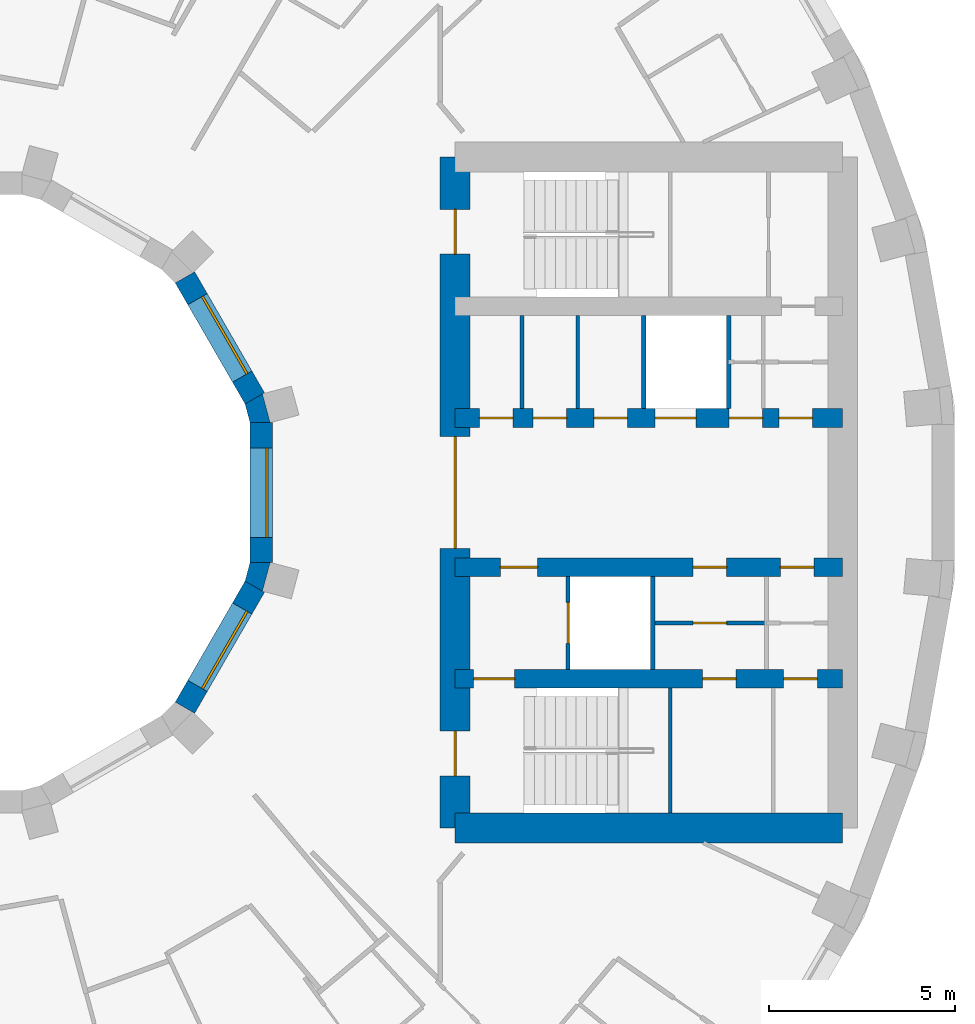
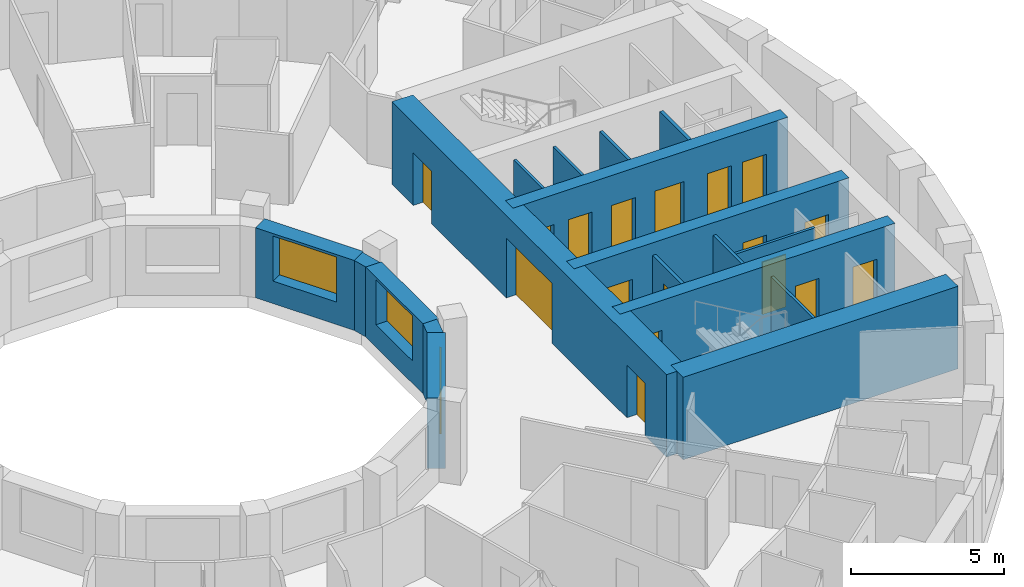
# One storey, part 9 of 16: 18 walls, 17 doors, 3 windows, 20 openings.
"""IFC4 building model written with IfcOpenShell, lengths in metres."""

from ifc_helpers import new_model, si_unit, direction, frame, frame_2d, origin, place, context, subcontext, project, spatial, polyline, rectangle, outline, extrude, material, layer, layer_set, type_object, element, fill, save


model = new_model("IFC4")

# Units and contexts
model_context = context("Model", 3, precision=1e-05, world=origin(), true_north=direction((0.0, 1.0)))
body_context = subcontext(model_context, "Body", "Model", "MODEL_VIEW")
ifc_project = project(units=[si_unit("LENGTHUNIT", "METRE"), si_unit("AREAUNIT", "SQUARE_METRE"), si_unit("VOLUMEUNIT", "CUBIC_METRE"), si_unit("PLANEANGLEUNIT", "RADIAN"), si_unit("MASSUNIT", "GRAM", prefix="KILO")], contexts=[model_context])

# Site, building, storey
site_placement = place(None, origin())
site = spatial("IfcSite", under=ifc_project, at=site_placement, CompositionType="ELEMENT")
building_placement = place(site_placement, origin())
building = spatial("IfcBuilding", under=site, at=building_placement, Name="Saqina Gate Tower", CompositionType="ELEMENT")
storey_placement = place(building_placement, frame((0.0, 0.0, 128.199951171875)))
storey = spatial("IfcBuildingStorey", under=building, at=storey_placement, Name="L36", CompositionType="ELEMENT", Elevation=128.199951171875)

# Walls
ifc_material_1 = material(Name="Gypsum board on steel studs", Category="steel")
ifc_layer_1 = layer(ifc_material_1, 0.10009765625)
ifc_layer_set_1 = layer_set([ifc_layer_1], Name="CORE PARTITION")
wall_type_1 = type_object("IfcWallType", Name="CORE PARTITION", PredefinedType="PARTITIONING", material=ifc_layer_set_1)
for number, where, z_axis, x_axis, name in (
    (1, (15.298095703125, 2.25, 0.0), (0.0, 0.0, 1.0), (0.0, 1.0, 0.0), "L36-CP-E01"),
    (2, (16.789306640625, 2.25, 0.0), (0.0, 0.0, 1.0), (0.0, 1.0, 0.0), "L36-CP-E02"),
):
    element("IfcWall", number, at=place(storey_placement, frame(where, z_axis=z_axis, x_axis=x_axis)), inside=storey, type_object=wall_type_1, Name=name, PredefinedType="PARTITIONING", context=body_context, shape_type="SweptSolid", body=[
        extrude(rectangle(XDim=2.5, YDim=0.10009765625, at=frame_2d((1.25, 0.0))), origin(), (0.0, 0.0, 1.0), 2.800048828125),
    ])

# Wall, opening, door
wall_1_placement = place(storey_placement, frame((18.81005859375, -3.5, 0.0), z_axis=(0.0, 0.0, 1.0), x_axis=(1.0, 0.0, 0.0)))
wall_1 = element("IfcWall", 3, at=wall_1_placement, inside=storey, type_object=wall_type_1, Name="L36-CP-E11", PredefinedType="PARTITIONING", context=body_context, shape_type="SweptSolid", body=[
    extrude(rectangle(XDim=3.04833984375, YDim=0.10009765625, at=frame_2d((1.524169921875, 0.0))), origin(), (0.0, 0.0, 1.0), 2.800048828125),
])
opening_1_placement = place(wall_1_placement, frame((1.07421875, 0.0, 0.0)))
opening_1 = element("IfcOpeningElement", 4, at=opening_1_placement, cuts=wall_1, Name="Opening G10-D103", PredefinedType="OPENING", context=body_context, shape_type="SweptSolid", body=[
    extrude(rectangle(XDim=0.89990234375, YDim=2.10009765625, at=frame_2d((0.449951171875, 1.050048828125))), frame((0.0, 0.06201171875, 0.0), z_axis=(0.0, -1.0, 0.0), x_axis=(1.0, 0.0, 0.0)), (0.0, 0.0, 1.0), 0.1240234375),
])
ifc_material_2 = material(Name="Steel-framed fire door leaf, EI 60", Category="steel")
door_type_1 = type_object("IfcDoorType", Name="SERVICE ROOM DOOR 900", OperationType="SINGLE_SWING_LEFT", PredefinedType="DOOR", material=ifc_material_2)
door_1_placement = place(opening_1_placement, frame((0.89990234375, 0.0, 0.0), z_axis=(0.0, 0.0, 1.0), x_axis=(-1.0, 0.0, 0.0)))
door_1 = element("IfcDoor", 5, at=door_1_placement, inside=storey, type_object=door_type_1, Name="L36-CD-E14", OperationType="SINGLE_SWING_RIGHT", OverallHeight=2.10009765625, OverallWidth=0.89990234375, PredefinedType="DOOR", context=body_context, shape_type="SweptSolid", body=[
    extrude(rectangle(XDim=0.89990234375, YDim=2.10009765625, at=frame_2d((0.449951171875, 1.050048828125))), frame((0.0, 0.02490234375, 0.0), z_axis=(0.0, -1.0, 0.0), x_axis=(1.0, 0.0, 0.0)), (0.0, 0.0, 1.0), 0.050048828125),
])
fill(opening_1, door_1)

# Wall, opening, window
ifc_material_3 = material(Name="Glazed ceramic tile", Category="ceramic")
ifc_layer_2 = layer(ifc_material_3, 0.60009765625)
ifc_layer_set_2 = layer_set([ifc_layer_2], Name="IW-TILE")
wall_type_2 = type_object("IfcWallType", Name="IW-TILE", PredefinedType="SOLIDWALL", material=ifc_layer_set_2)
wall_2_placement = place(storey_placement, frame((8.124755859375, 2.52734375, 0.0), z_axis=(0.0, 0.0, 1.0), x_axis=(-0.499964958637, 0.86604563398, 0.0)))
wall_2 = element("IfcWall", 6, at=wall_2_placement, inside=storey, type_object=wall_type_2, Name="Well wall L36 facet 1", PredefinedType="SOLIDWALL", context=body_context, shape_type="SweptSolid", body=[
    extrude(rectangle(XDim=3.747314453125, YDim=0.60009765625, at=frame_2d((1.87353515625, 0.0))), origin(), (0.0, 0.0, 1.0), 2.800048828125),
])
opening_2_placement = place(wall_2_placement, frame((0.673583984375, 0.0, 0.89990234375)))
opening_2 = element("IfcOpeningElement", 7, at=opening_2_placement, cuts=wall_2, Name="Opening G10-W23", PredefinedType="OPENING", context=body_context, shape_type="SweptSolid", body=[
    extrude(rectangle(XDim=2.39990234375, YDim=1.800048828125, at=frame_2d((1.199951171875, 0.89990234375))), frame((0.0, 0.31201171875, 0.0), z_axis=(0.0, -1.0, 0.0), x_axis=(1.0, 0.0, 0.0)), (0.0, 0.0, 1.0), 0.6240234375),
])
ifc_material_4 = material(Name="Aluminium glazing", Category="aluminium")
window_type = type_object("IfcWindowType", Name="WN-W", PartitioningType="SINGLE_PANEL", PredefinedType="WINDOW", material=ifc_material_4)
window_1_placement = place(opening_2_placement, origin())
window_1 = element("IfcWindow", 8, at=window_1_placement, inside=storey, type_object=window_type, Name="Well window L36 facet 1", OverallHeight=1.800048828125, OverallWidth=2.39990234375, PartitioningType="SINGLE_PANEL", PredefinedType="WINDOW", context=body_context, shape_type="SweptSolid", body=[
    extrude(rectangle(XDim=2.39990234375, YDim=1.800048828125, at=frame_2d((1.199951171875, 0.89990234375))), frame((0.0, -0.119873046875, 0.0), z_axis=(0.0, -1.0, 0.0), x_axis=(1.0, 0.0, 0.0)), (0.0, 0.0, 1.0), 0.06005859375),
])
fill(opening_2, window_1)

wall_3_placement = place(storey_placement, frame((6.251220703125, -5.772705078125, 0.0), z_axis=(0.0, 0.0, 1.0), x_axis=(0.499964958637, 0.86604563398, 0.0)))
wall_3 = element("IfcWall", 9, at=wall_3_placement, inside=storey, type_object=wall_type_2, Name="Well wall L36 facet 11", PredefinedType="SOLIDWALL", context=body_context, shape_type="SweptSolid", body=[
    extrude(rectangle(XDim=3.747314453125, YDim=0.60009765625, at=frame_2d((1.87353515625, 0.0))), origin(), (0.0, 0.0, 1.0), 2.800048828125),
])
opening_3_placement = place(wall_3_placement, frame((0.673583984375, 0.0, 0.89990234375)))
opening_3 = element("IfcOpeningElement", 10, at=opening_3_placement, cuts=wall_3, Name="Opening G10-W33", PredefinedType="OPENING", context=body_context, shape_type="SweptSolid", body=[
    extrude(rectangle(XDim=2.39990234375, YDim=1.800048828125, at=frame_2d((1.199951171875, 0.89990234375))), frame((0.0, 0.31201171875, 0.0), z_axis=(0.0, -1.0, 0.0), x_axis=(1.0, 0.0, 0.0)), (0.0, 0.0, 1.0), 0.6240234375),
])
window_2_placement = place(opening_3_placement, origin())
window_2 = element("IfcWindow", 11, at=window_2_placement, inside=storey, type_object=window_type, Name="Well window L36 facet 11", OverallHeight=1.800048828125, OverallWidth=2.39990234375, PartitioningType="SINGLE_PANEL", PredefinedType="WINDOW", context=body_context, shape_type="SweptSolid", body=[
    extrude(rectangle(XDim=2.39990234375, YDim=1.800048828125, at=frame_2d((1.199951171875, 0.89990234375))), frame((0.0, -0.119873046875, 0.0), z_axis=(0.0, -1.0, 0.0), x_axis=(1.0, 0.0, 0.0)), (0.0, 0.0, 1.0), 0.06005859375),
])
fill(opening_3, window_2)

wall_4_placement = place(storey_placement, frame((8.300048828125, -1.873779296875, 0.0), z_axis=(0.0, 0.0, 1.0), x_axis=(0.0, 1.0, 0.0)))
wall_4 = element("IfcWall", 12, at=wall_4_placement, inside=storey, type_object=wall_type_2, Name="Well wall L36 facet 12", PredefinedType="SOLIDWALL", context=body_context, shape_type="SweptSolid", body=[
    extrude(rectangle(XDim=3.74755859375, YDim=0.60009765625, at=frame_2d((1.873779296875, 0.0))), origin(), (0.0, 0.0, 1.0), 2.800048828125),
])
opening_4_placement = place(wall_4_placement, frame((0.673583984375, 0.0, 0.89990234375)))
opening_4 = element("IfcOpeningElement", 13, at=opening_4_placement, cuts=wall_4, Name="Opening G10-W34", PredefinedType="OPENING", context=body_context, shape_type="SweptSolid", body=[
    extrude(rectangle(XDim=2.39990234375, YDim=1.800048828125, at=frame_2d((1.199951171875, 0.89990234375))), frame((0.0, 0.31201171875, 0.0), z_axis=(0.0, -1.0, 0.0), x_axis=(1.0, 0.0, 0.0)), (0.0, 0.0, 1.0), 0.6240234375),
])
window_3_placement = place(opening_4_placement, origin())
window_3 = element("IfcWindow", 14, at=window_3_placement, inside=storey, type_object=window_type, Name="Well window L36 facet 12", OverallHeight=1.800048828125, OverallWidth=2.39990234375, PartitioningType="SINGLE_PANEL", PredefinedType="WINDOW", context=body_context, shape_type="SweptSolid", body=[
    extrude(rectangle(XDim=2.39990234375, YDim=1.800048828125, at=frame_2d((1.199951171875, 0.89990234375))), frame((0.0, -0.119873046875, 0.0), z_axis=(0.0, -1.0, 0.0), x_axis=(1.0, 0.0, 0.0)), (0.0, 0.0, 1.0), 0.06005859375),
])
fill(opening_4, window_3)

# Walls
ifc_material_5 = material(Name="Autoclaved aerated concrete block", Category="concrete")
ifc_layer_3 = layer(ifc_material_5, 0.1201171875)
ifc_layer_set_3 = layer_set([ifc_layer_3], Name="SHAFT PARTITION")
wall_type_3 = type_object("IfcWallType", Name="SHAFT PARTITION", PredefinedType="PARTITIONING", material=ifc_layer_set_3)
for number, where, z_axis, x_axis, name in (
    (15, (18.56005859375, 2.25, 0.0), (0.0, 0.0, 1.0), (0.0, 1.0, 0.0), "L36-CP-E03"),
    (16, (20.840087890625, 2.25, 0.0), (0.0, 0.0, 1.0), (0.0, 1.0, 0.0), "L36-CP-E04"),
):
    element("IfcWall", number, at=place(storey_placement, frame(where, z_axis=z_axis, x_axis=x_axis)), inside=storey, type_object=wall_type_3, Name=name, PredefinedType="PARTITIONING", context=body_context, shape_type="SweptSolid", body=[
        extrude(rectangle(XDim=2.5, YDim=0.1201171875, at=frame_2d((1.25, 0.0))), origin(), (0.0, 0.0, 1.0), 2.800048828125),
    ])

# Wall, opening, door
wall_5_placement = place(storey_placement, frame((16.530029296875, -4.75, 0.0), z_axis=(0.0, 0.0, 1.0), x_axis=(0.0, 1.0, 0.0)))
wall_5 = element("IfcWall", 17, at=wall_5_placement, inside=storey, type_object=wall_type_3, Name="L36-CP-E06", PredefinedType="PARTITIONING", context=body_context, shape_type="SweptSolid", body=[
    extrude(rectangle(XDim=2.5, YDim=0.1201171875, at=frame_2d((1.25, 0.0))), origin(), (0.0, 0.0, 1.0), 2.800048828125),
])
opening_5_placement = place(wall_5_placement, frame((0.699951171875, 0.0, 0.0)))
opening_5 = element("IfcOpeningElement", 18, at=opening_5_placement, cuts=wall_5, Name="Opening G10-LD2", PredefinedType="OPENING", context=body_context, shape_type="SweptSolid", body=[
    extrude(rectangle(XDim=1.10009765625, YDim=2.10009765625, at=frame_2d((0.550048828125, 1.050048828125))), frame((0.0, 0.072021484375, 0.0), z_axis=(0.0, -1.0, 0.0), x_axis=(1.0, 0.0, 0.0)), (0.0, 0.0, 1.0), 0.14404296875),
])
ifc_material_6 = material(Name="Stainless steel", Category="steel")
door_type_2 = type_object("IfcDoorType", Name="LANDING DOOR", OperationType="DOUBLE_DOOR_SLIDING", PredefinedType="DOOR", material=ifc_material_6)
door_2_placement = place(opening_5_placement, origin())
door_2 = element("IfcDoor", 19, at=door_2_placement, inside=storey, type_object=door_type_2, Name="LANDING DOOR FF1", OperationType="DOUBLE_DOOR_SLIDING", OverallHeight=2.10009765625, OverallWidth=1.10009765625, PredefinedType="DOOR", context=body_context, shape_type="SweptSolid", body=[
    extrude(rectangle(XDim=1.10009765625, YDim=2.10009765625, at=frame_2d((0.550048828125, 1.050048828125))), frame((0.0, 0.02490234375, 0.0), z_axis=(0.0, -1.0, 0.0), x_axis=(1.0, 0.0, 0.0)), (0.0, 0.0, 1.0), 0.050048828125),
])
fill(opening_5, door_2)

# Walls
wall_6_placement = place(storey_placement, frame((18.81005859375, -4.75, 0.0), z_axis=(0.0, 0.0, 1.0), x_axis=(0.0, 1.0, 0.0)))
element("IfcWall", 20, at=wall_6_placement, inside=storey, type_object=wall_type_3, Name="L36-CP-E07", PredefinedType="PARTITIONING", context=body_context, shape_type="SweptSolid", body=[
    extrude(rectangle(XDim=2.5, YDim=0.1201171875, at=frame_2d((1.25, 0.0))), origin(), (0.0, 0.0, 1.0), 2.800048828125),
])
ifc_material_7 = material(Name="Autoclaved aerated concrete block", Category="concrete")
ifc_layer_4 = layer(ifc_material_7, 0.10009765625)
ifc_layer_set_4 = layer_set([ifc_layer_4], Name="STAIR ENCLOSURE WALL")
wall_type_4 = type_object("IfcWallType", Name="STAIR ENCLOSURE WALL", PredefinedType="PARTITIONING", material=ifc_layer_set_4)
wall_7_placement = place(storey_placement, frame((19.27001953125, -8.60009765625, 0.0), z_axis=(0.0, 0.0, 1.0), x_axis=(0.0, 1.0, 0.0)))
element("IfcWall", 21, at=wall_7_placement, inside=storey, type_object=wall_type_4, Name="L36-CP-E15", PredefinedType="PARTITIONING", context=body_context, shape_type="SweptSolid", body=[
    extrude(rectangle(XDim=3.35009765625, YDim=0.10009765625, at=frame_2d((1.675048828125, 0.0))), origin(), (0.0, 0.0, 1.0), 2.800048828125),
])

# Wall, openings, doors
ifc_material_8 = material(Name="Concrete C70/85", Category="concrete")
ifc_layer_5 = layer(ifc_material_8, 0.5)
ifc_layer_set_5 = layer_set([ifc_layer_5], Name="Concrete C70/85")
wall_type_5 = type_object("IfcWallType", Name="STR-CORE WALL-B-I", PredefinedType="SHEAR", material=ifc_layer_set_5)
wall_8_placement = place(storey_placement, frame((13.5, -5.0, 0.0), z_axis=(0.0, 0.0, 1.0), x_axis=(1.0, 0.0, 0.0)))
wall_8 = element("IfcWall", 22, at=wall_8_placement, inside=storey, type_object=wall_type_5, Name="CORE WALL L36 E-X2", PredefinedType="SHEAR", context=body_context, shape_type="SweptSolid", body=[
    extrude(rectangle(XDim=10.39990234375, YDim=0.5, at=frame_2d((5.199951171875, 0.0))), origin(), (0.0, 0.0, 1.0), 3.300048828125),
])
opening_6_placement = place(wall_8_placement, frame((6.63916015625, 0.0, 0.0)))
opening_6 = element("IfcOpeningElement", 23, at=opening_6_placement, cuts=wall_8, Name="Opening G10-D104", PredefinedType="OPENING", context=body_context, shape_type="SweptSolid", body=[
    extrude(rectangle(XDim=0.89990234375, YDim=2.10009765625, at=frame_2d((0.449951171875, 1.050048828125))), frame((0.0, 0.261962890625, 0.0), z_axis=(0.0, -1.0, 0.0), x_axis=(1.0, 0.0, 0.0)), (0.0, 0.0, 1.0), 0.52392578125),
])
opening_7_placement = place(wall_8_placement, frame((8.818603515625, 0.0, 0.0)))
opening_7 = element("IfcOpeningElement", 24, at=opening_7_placement, cuts=wall_8, Name="Opening G10-D105", PredefinedType="OPENING", context=body_context, shape_type="SweptSolid", body=[
    extrude(rectangle(XDim=0.89990234375, YDim=2.10009765625, at=frame_2d((0.449951171875, 1.050048828125))), frame((0.0, 0.261962890625, 0.0), z_axis=(0.0, -1.0, 0.0), x_axis=(1.0, 0.0, 0.0)), (0.0, 0.0, 1.0), 0.52392578125),
])
opening_8_placement = place(wall_8_placement, frame((0.5, 0.0, 0.0)))
opening_8 = element("IfcOpeningElement", 25, at=opening_8_placement, cuts=wall_8, Name="Opening G10-D106", PredefinedType="OPENING", context=body_context, shape_type="SweptSolid", body=[
    extrude(rectangle(XDim=1.10009765625, YDim=2.10009765625, at=frame_2d((0.550048828125, 1.050048828125))), frame((0.0, 0.261962890625, 0.0), z_axis=(0.0, -1.0, 0.0), x_axis=(1.0, 0.0, 0.0)), (0.0, 0.0, 1.0), 0.52392578125),
])
ifc_material_9 = material(Name="Steel", Category="steel")
door_type_3 = type_object("IfcDoorType", Name="FIRE LOBBY DOOR EI 60 WIDE", OperationType="SINGLE_SWING_LEFT", PredefinedType="DOOR", material=ifc_material_9)
door_3_placement = place(opening_8_placement, frame((1.10009765625, 0.0, 0.0), z_axis=(0.0, 0.0, 1.0), x_axis=(-1.0, 0.0, 0.0)))
door_3 = element("IfcDoor", 26, at=door_3_placement, inside=storey, type_object=door_type_3, Name="L36-CD-E17", OperationType="SINGLE_SWING_RIGHT", OverallHeight=2.10009765625, OverallWidth=1.10009765625, PredefinedType="DOOR", context=body_context, shape_type="SweptSolid", body=[
    extrude(rectangle(XDim=1.10009765625, YDim=2.10009765625, at=frame_2d((0.550048828125, 1.050048828125))), frame((0.0, 0.02490234375, 0.0), z_axis=(0.0, -1.0, 0.0), x_axis=(1.0, 0.0, 0.0)), (0.0, 0.0, 1.0), 0.050048828125),
])
fill(opening_8, door_3)
door_4_placement = place(opening_6_placement, frame((0.89990234375, 0.0, 0.0), z_axis=(0.0, 0.0, 1.0), x_axis=(-1.0, 0.0, 0.0)))
door_4 = element("IfcDoor", 27, at=door_4_placement, inside=storey, type_object=door_type_1, Name="L36-CD-E15", OperationType="SINGLE_SWING_LEFT", OverallHeight=2.10009765625, OverallWidth=0.89990234375, PredefinedType="DOOR", context=body_context, shape_type="SweptSolid", body=[
    extrude(rectangle(XDim=0.89990234375, YDim=2.10009765625, at=frame_2d((0.449951171875, 1.050048828125))), frame((0.0, 0.02490234375, 0.0), z_axis=(0.0, -1.0, 0.0), x_axis=(1.0, 0.0, 0.0)), (0.0, 0.0, 1.0), 0.050048828125),
])
fill(opening_6, door_4)
door_5_placement = place(opening_7_placement, frame((0.89990234375, 0.0, 0.0), z_axis=(0.0, 0.0, 1.0), x_axis=(-1.0, 0.0, 0.0)))
door_5 = element("IfcDoor", 28, at=door_5_placement, inside=storey, type_object=door_type_1, Name="L36-CD-E16", OperationType="SINGLE_SWING_LEFT", OverallHeight=2.10009765625, OverallWidth=0.89990234375, PredefinedType="DOOR", context=body_context, shape_type="SweptSolid", body=[
    extrude(rectangle(XDim=0.89990234375, YDim=2.10009765625, at=frame_2d((0.449951171875, 1.050048828125))), frame((0.0, 0.02490234375, 0.0), z_axis=(0.0, -1.0, 0.0), x_axis=(1.0, 0.0, 0.0)), (0.0, 0.0, 1.0), 0.050048828125),
])
fill(opening_7, door_5)

wall_9_placement = place(storey_placement, frame((13.5, 2.0, 0.0), z_axis=(0.0, 0.0, 1.0), x_axis=(1.0, 0.0, 0.0)))
wall_9 = element("IfcWall", 29, at=wall_9_placement, inside=storey, type_object=wall_type_5, Name="CORE WALL L36 E-L1", PredefinedType="SHEAR", context=body_context, shape_type="SweptSolid", body=[
    extrude(rectangle(XDim=10.39990234375, YDim=0.5, at=frame_2d((5.199951171875, 0.0))), origin(), (0.0, 0.0, 1.0), 3.300048828125),
])
opening_9_placement = place(wall_9_placement, frame((5.3701171875, 0.0, 0.0)))
opening_9 = element("IfcOpeningElement", 30, at=opening_9_placement, cuts=wall_9, Name="Opening G10-LD1", PredefinedType="OPENING", context=body_context, shape_type="SweptSolid", body=[
    extrude(rectangle(XDim=1.10009765625, YDim=2.10009765625, at=frame_2d((0.550048828125, 1.050048828125))), frame((0.0, 0.261962890625, 0.0), z_axis=(0.0, -1.0, 0.0), x_axis=(1.0, 0.0, 0.0)), (0.0, 0.0, 1.0), 0.52392578125),
])
opening_10_placement = place(wall_9_placement, frame((0.64892578125, 0.0, 0.0)))
opening_10 = element("IfcOpeningElement", 31, at=opening_10_placement, cuts=wall_9, Name="Opening G10-D90", PredefinedType="OPENING", context=body_context, shape_type="SweptSolid", body=[
    extrude(rectangle(XDim=0.89990234375, YDim=2.10009765625, at=frame_2d((0.449951171875, 1.050048828125))), frame((0.0, 0.261962890625, 0.0), z_axis=(0.0, -1.0, 0.0), x_axis=(1.0, 0.0, 0.0)), (0.0, 0.0, 1.0), 0.52392578125),
])
opening_11_placement = place(wall_9_placement, frame((2.093505859375, 0.0, 0.0)))
opening_11 = element("IfcOpeningElement", 32, at=opening_11_placement, cuts=wall_9, Name="Opening G10-D91", PredefinedType="OPENING", context=body_context, shape_type="SweptSolid", body=[
    extrude(rectangle(XDim=0.89990234375, YDim=2.10009765625, at=frame_2d((0.449951171875, 1.050048828125))), frame((0.0, 0.261962890625, 0.0), z_axis=(0.0, -1.0, 0.0), x_axis=(1.0, 0.0, 0.0)), (0.0, 0.0, 1.0), 0.52392578125),
])
opening_12_placement = place(wall_9_placement, frame((3.724609375, 0.0, 0.0)))
opening_12 = element("IfcOpeningElement", 33, at=opening_12_placement, cuts=wall_9, Name="Opening G10-D92", PredefinedType="OPENING", context=body_context, shape_type="SweptSolid", body=[
    extrude(rectangle(XDim=0.89990234375, YDim=2.10009765625, at=frame_2d((0.449951171875, 1.050048828125))), frame((0.0, 0.261962890625, 0.0), z_axis=(0.0, -1.0, 0.0), x_axis=(1.0, 0.0, 0.0)), (0.0, 0.0, 1.0), 0.52392578125),
])
opening_13_placement = place(wall_9_placement, frame((7.35546875, 0.0, 0.0)))
opening_13 = element("IfcOpeningElement", 34, at=opening_13_placement, cuts=wall_9, Name="Opening G10-D93", PredefinedType="OPENING", context=body_context, shape_type="SweptSolid", body=[
    extrude(rectangle(XDim=0.89990234375, YDim=2.10009765625, at=frame_2d((0.449951171875, 1.050048828125))), frame((0.0, 0.261962890625, 0.0), z_axis=(0.0, -1.0, 0.0), x_axis=(1.0, 0.0, 0.0)), (0.0, 0.0, 1.0), 0.52392578125),
])
opening_14_placement = place(wall_9_placement, frame((8.685546875, 0.0, 0.0)))
opening_14 = element("IfcOpeningElement", 35, at=opening_14_placement, cuts=wall_9, Name="Opening G10-D94", PredefinedType="OPENING", context=body_context, shape_type="SweptSolid", body=[
    extrude(rectangle(XDim=0.89990234375, YDim=2.10009765625, at=frame_2d((0.449951171875, 1.050048828125))), frame((0.0, 0.261962890625, 0.0), z_axis=(0.0, -1.0, 0.0), x_axis=(1.0, 0.0, 0.0)), (0.0, 0.0, 1.0), 0.52392578125),
])
door_6_placement = place(opening_9_placement, origin())
door_6 = element("IfcDoor", 36, at=door_6_placement, inside=storey, type_object=door_type_2, Name="LANDING DOOR MR1", OperationType="DOUBLE_DOOR_SLIDING", OverallHeight=2.10009765625, OverallWidth=1.10009765625, PredefinedType="DOOR", context=body_context, shape_type="SweptSolid", body=[
    extrude(rectangle(XDim=1.10009765625, YDim=2.10009765625, at=frame_2d((0.550048828125, 1.050048828125))), frame((0.0, 0.02490234375, 0.0), z_axis=(0.0, -1.0, 0.0), x_axis=(1.0, 0.0, 0.0)), (0.0, 0.0, 1.0), 0.050048828125),
])
fill(opening_9, door_6)
door_7_placement = place(opening_10_placement, origin())
door_7 = element("IfcDoor", 37, at=door_7_placement, inside=storey, type_object=door_type_1, Name="L36-CD-E01", OperationType="SINGLE_SWING_LEFT", OverallHeight=2.10009765625, OverallWidth=0.89990234375, PredefinedType="DOOR", context=body_context, shape_type="SweptSolid", body=[
    extrude(rectangle(XDim=0.89990234375, YDim=2.10009765625, at=frame_2d((0.449951171875, 1.050048828125))), frame((0.0, 0.02490234375, 0.0), z_axis=(0.0, -1.0, 0.0), x_axis=(1.0, 0.0, 0.0)), (0.0, 0.0, 1.0), 0.050048828125),
])
fill(opening_10, door_7)
door_8_placement = place(opening_11_placement, origin())
door_8 = element("IfcDoor", 38, at=door_8_placement, inside=storey, type_object=door_type_1, Name="L36-CD-E02", OperationType="SINGLE_SWING_LEFT", OverallHeight=2.10009765625, OverallWidth=0.89990234375, PredefinedType="DOOR", context=body_context, shape_type="SweptSolid", body=[
    extrude(rectangle(XDim=0.89990234375, YDim=2.10009765625, at=frame_2d((0.449951171875, 1.050048828125))), frame((0.0, 0.02490234375, 0.0), z_axis=(0.0, -1.0, 0.0), x_axis=(1.0, 0.0, 0.0)), (0.0, 0.0, 1.0), 0.050048828125),
])
fill(opening_11, door_8)
door_9_placement = place(opening_12_placement, origin())
door_9 = element("IfcDoor", 39, at=door_9_placement, inside=storey, type_object=door_type_1, Name="L36-CD-E03", OperationType="SINGLE_SWING_RIGHT", OverallHeight=2.10009765625, OverallWidth=0.89990234375, PredefinedType="DOOR", context=body_context, shape_type="SweptSolid", body=[
    extrude(rectangle(XDim=0.89990234375, YDim=2.10009765625, at=frame_2d((0.449951171875, 1.050048828125))), frame((0.0, 0.02490234375, 0.0), z_axis=(0.0, -1.0, 0.0), x_axis=(1.0, 0.0, 0.0)), (0.0, 0.0, 1.0), 0.050048828125),
])
fill(opening_12, door_9)
door_10_placement = place(opening_13_placement, origin())
door_10 = element("IfcDoor", 40, at=door_10_placement, inside=storey, type_object=door_type_1, Name="L36-CD-E04", OperationType="SINGLE_SWING_LEFT", OverallHeight=2.10009765625, OverallWidth=0.89990234375, PredefinedType="DOOR", context=body_context, shape_type="SweptSolid", body=[
    extrude(rectangle(XDim=0.89990234375, YDim=2.10009765625, at=frame_2d((0.449951171875, 1.050048828125))), frame((0.0, 0.02490234375, 0.0), z_axis=(0.0, -1.0, 0.0), x_axis=(1.0, 0.0, 0.0)), (0.0, 0.0, 1.0), 0.050048828125),
])
fill(opening_13, door_10)
door_11_placement = place(opening_14_placement, origin())
door_11 = element("IfcDoor", 41, at=door_11_placement, inside=storey, type_object=door_type_1, Name="L36-CD-E05", OperationType="SINGLE_SWING_RIGHT", OverallHeight=2.10009765625, OverallWidth=0.89990234375, PredefinedType="DOOR", context=body_context, shape_type="SweptSolid", body=[
    extrude(rectangle(XDim=0.89990234375, YDim=2.10009765625, at=frame_2d((0.449951171875, 1.050048828125))), frame((0.0, 0.02490234375, 0.0), z_axis=(0.0, -1.0, 0.0), x_axis=(1.0, 0.0, 0.0)), (0.0, 0.0, 1.0), 0.050048828125),
])
fill(opening_14, door_11)

wall_10_placement = place(storey_placement, frame((13.5, -2.0, 0.0), z_axis=(0.0, 0.0, 1.0), x_axis=(1.0, 0.0, 0.0)))
wall_10 = element("IfcWall", 42, at=wall_10_placement, inside=storey, type_object=wall_type_5, Name="CORE WALL L36 E-L2", PredefinedType="SHEAR", context=body_context, shape_type="SweptSolid", body=[
    extrude(rectangle(XDim=10.39990234375, YDim=0.5, at=frame_2d((5.199951171875, 0.0))), origin(), (0.0, 0.0, 1.0), 3.300048828125),
])
opening_15_placement = place(wall_10_placement, frame((1.215087890625, 0.0, 0.0)))
opening_15 = element("IfcOpeningElement", 43, at=opening_15_placement, cuts=wall_10, Name="Opening G10-D95", PredefinedType="OPENING", context=body_context, shape_type="SweptSolid", body=[
    extrude(rectangle(XDim=1.0, YDim=2.10009765625, at=frame_2d((0.5, 1.050048828125))), frame((0.0, 0.261962890625, 0.0), z_axis=(0.0, -1.0, 0.0), x_axis=(1.0, 0.0, 0.0)), (0.0, 0.0, 1.0), 0.52392578125),
])
opening_16_placement = place(wall_10_placement, frame((6.38427734375, 0.0, 0.0)))
opening_16 = element("IfcOpeningElement", 44, at=opening_16_placement, cuts=wall_10, Name="Opening G10-D96", PredefinedType="OPENING", context=body_context, shape_type="SweptSolid", body=[
    extrude(rectangle(XDim=0.89990234375, YDim=2.10009765625, at=frame_2d((0.449951171875, 1.050048828125))), frame((0.0, 0.261962890625, 0.0), z_axis=(0.0, -1.0, 0.0), x_axis=(1.0, 0.0, 0.0)), (0.0, 0.0, 1.0), 0.52392578125),
])
opening_17_placement = place(wall_10_placement, frame((8.729248046875, 0.0, 0.0)))
opening_17 = element("IfcOpeningElement", 45, at=opening_17_placement, cuts=wall_10, Name="Opening G10-D97", PredefinedType="OPENING", context=body_context, shape_type="SweptSolid", body=[
    extrude(rectangle(XDim=0.89990234375, YDim=2.10009765625, at=frame_2d((0.449951171875, 1.050048828125))), frame((0.0, 0.261962890625, 0.0), z_axis=(0.0, -1.0, 0.0), x_axis=(1.0, 0.0, 0.0)), (0.0, 0.0, 1.0), 0.52392578125),
])
ifc_material_10 = material(Name="Steel", Category="steel")
door_type_4 = type_object("IfcDoorType", Name="FIRE LOBBY DOOR EI 60", OperationType="SINGLE_SWING_LEFT", PredefinedType="DOOR", material=ifc_material_10)
door_12_placement = place(opening_15_placement, origin())
door_12 = element("IfcDoor", 46, at=door_12_placement, inside=storey, type_object=door_type_4, Name="L36-CD-E06", OperationType="SINGLE_SWING_LEFT", OverallHeight=2.10009765625, OverallWidth=1.0, PredefinedType="DOOR", context=body_context, shape_type="SweptSolid", body=[
    extrude(rectangle(XDim=1.0, YDim=2.10009765625, at=frame_2d((0.5, 1.050048828125))), frame((0.0, 0.02490234375, 0.0), z_axis=(0.0, -1.0, 0.0), x_axis=(1.0, 0.0, 0.0)), (0.0, 0.0, 1.0), 0.050048828125),
])
fill(opening_15, door_12)
door_13_placement = place(opening_16_placement, frame((0.89990234375, 0.0, 0.0), z_axis=(0.0, 0.0, 1.0), x_axis=(-1.0, 0.0, 0.0)))
door_13 = element("IfcDoor", 47, at=door_13_placement, inside=storey, type_object=door_type_1, Name="L36-CD-E07", OperationType="SINGLE_SWING_LEFT", OverallHeight=2.10009765625, OverallWidth=0.89990234375, PredefinedType="DOOR", context=body_context, shape_type="SweptSolid", body=[
    extrude(rectangle(XDim=0.89990234375, YDim=2.10009765625, at=frame_2d((0.449951171875, 1.050048828125))), frame((0.0, 0.02490234375, 0.0), z_axis=(0.0, -1.0, 0.0), x_axis=(1.0, 0.0, 0.0)), (0.0, 0.0, 1.0), 0.050048828125),
])
fill(opening_16, door_13)
door_14_placement = place(opening_17_placement, frame((0.89990234375, 0.0, 0.0), z_axis=(0.0, 0.0, 1.0), x_axis=(-1.0, 0.0, 0.0)))
door_14 = element("IfcDoor", 48, at=door_14_placement, inside=storey, type_object=door_type_1, Name="L36-CD-E08", OperationType="SINGLE_SWING_LEFT", OverallHeight=2.10009765625, OverallWidth=0.89990234375, PredefinedType="DOOR", context=body_context, shape_type="SweptSolid", body=[
    extrude(rectangle(XDim=0.89990234375, YDim=2.10009765625, at=frame_2d((0.449951171875, 1.050048828125))), frame((0.0, 0.02490234375, 0.0), z_axis=(0.0, -1.0, 0.0), x_axis=(1.0, 0.0, 0.0)), (0.0, 0.0, 1.0), 0.050048828125),
])
fill(opening_17, door_14)

ifc_material_11 = material(Name="Concrete C70/85", Category="concrete")
ifc_layer_6 = layer(ifc_material_11, 0.800048828125)
ifc_layer_set_6 = layer_set([ifc_layer_6], Name="Concrete C70/85")
wall_type_6 = type_object("IfcWallType", Name="STR-CORE WALL-B-O", PredefinedType="SHEAR", material=ifc_layer_set_6)
wall_11_placement = place(storey_placement, frame((13.5, -9.0, 0.0), z_axis=(0.0, 0.0, 1.0), x_axis=(0.0, 1.0, 0.0)))
wall_11 = element("IfcWall", 49, at=wall_11_placement, inside=storey, type_object=wall_type_6, Name="CORE WALL L36 E-W1", PredefinedType="SHEAR", context=body_context, shape_type="SweptSolid", body=[
    extrude(rectangle(XDim=18.0, YDim=0.800048828125, at=frame_2d((9.0, 0.0))), origin(), (0.0, 0.0, 1.0), 3.300048828125),
])
opening_18_placement = place(wall_11_placement, frame((15.39990234375, 0.0, 0.0)))
opening_18 = element("IfcOpeningElement", 50, at=opening_18_placement, cuts=wall_11, Name="Opening G10-D107", PredefinedType="OPENING", context=body_context, shape_type="SweptSolid", body=[
    extrude(rectangle(XDim=1.199951171875, YDim=2.10009765625, at=frame_2d((0.60009765625, 1.050048828125))), frame((0.0, 0.412109375, 0.0), z_axis=(0.0, -1.0, 0.0), x_axis=(1.0, 0.0, 0.0)), (0.0, 0.0, 1.0), 0.823974609375),
])
opening_19_placement = place(wall_11_placement, frame((1.39990234375, 0.0, 0.0)))
opening_19 = element("IfcOpeningElement", 51, at=opening_19_placement, cuts=wall_11, Name="Opening G10-D108", PredefinedType="OPENING", context=body_context, shape_type="SweptSolid", body=[
    extrude(rectangle(XDim=1.199951171875, YDim=2.10009765625, at=frame_2d((0.60009765625, 1.050048828125))), frame((0.0, 0.412109375, 0.0), z_axis=(0.0, -1.0, 0.0), x_axis=(1.0, 0.0, 0.0)), (0.0, 0.0, 1.0), 0.823974609375),
])
opening_20_placement = place(wall_11_placement, frame((7.5, 0.0, 0.0)))
opening_20 = element("IfcOpeningElement", 52, at=opening_20_placement, cuts=wall_11, Name="Opening G10-D109", PredefinedType="OPENING", context=body_context, shape_type="SweptSolid", body=[
    extrude(rectangle(XDim=3.0, YDim=2.39990234375, at=frame_2d((1.5, 1.199951171875))), frame((0.0, 0.412109375, 0.0), z_axis=(0.0, -1.0, 0.0), x_axis=(1.0, 0.0, 0.0)), (0.0, 0.0, 1.0), 0.823974609375),
])
ifc_material_12 = material(Name="Steel", Category="steel")
door_type_5 = type_object("IfcDoorType", Name="FIRE DOOR EI 60", OperationType="SINGLE_SWING_LEFT", PredefinedType="DOOR", material=ifc_material_12)
door_15_placement = place(opening_18_placement, frame((1.199951171875, 0.0, 0.0), z_axis=(0.0, 0.0, 1.0), x_axis=(-1.0, 0.0, 0.0)))
door_15 = element("IfcDoor", 53, at=door_15_placement, inside=storey, type_object=door_type_5, Name="L36-CD-E18", OperationType="SINGLE_SWING_LEFT", OverallHeight=2.10009765625, OverallWidth=1.199951171875, PredefinedType="DOOR", context=body_context, shape_type="SweptSolid", body=[
    extrude(rectangle(XDim=1.199951171875, YDim=2.10009765625, at=frame_2d((0.60009765625, 1.050048828125))), frame((0.0, 0.02490234375, 0.0), z_axis=(0.0, -1.0, 0.0), x_axis=(1.0, 0.0, 0.0)), (0.0, 0.0, 1.0), 0.050048828125),
])
fill(opening_18, door_15)
door_16_placement = place(opening_19_placement, frame((1.199951171875, 0.0, 0.0), z_axis=(0.0, 0.0, 1.0), x_axis=(-1.0, 0.0, 0.0)))
door_16 = element("IfcDoor", 54, at=door_16_placement, inside=storey, type_object=door_type_5, Name="L36-CD-E19", OperationType="SINGLE_SWING_RIGHT", OverallHeight=2.10009765625, OverallWidth=1.199951171875, PredefinedType="DOOR", context=body_context, shape_type="SweptSolid", body=[
    extrude(rectangle(XDim=1.199951171875, YDim=2.10009765625, at=frame_2d((0.60009765625, 1.050048828125))), frame((0.0, 0.02490234375, 0.0), z_axis=(0.0, -1.0, 0.0), x_axis=(1.0, 0.0, 0.0)), (0.0, 0.0, 1.0), 0.050048828125),
])
fill(opening_19, door_16)
ifc_material_13 = material(Name="Steel and fire-resisting glass", Category="steel")
door_type_6 = type_object("IfcDoorType", Name="LOBBY SCREEN DOOR", OperationType="DOUBLE_DOOR_SLIDING", PredefinedType="DOOR", material=ifc_material_13)
door_17_placement = place(opening_20_placement, origin())
door_17 = element("IfcDoor", 55, at=door_17_placement, inside=storey, type_object=door_type_6, Name="L36-CD-E20", OperationType="DOUBLE_DOOR_SLIDING", OverallHeight=2.39990234375, OverallWidth=3.0, PredefinedType="DOOR", context=body_context, shape_type="SweptSolid", body=[
    extrude(rectangle(XDim=3.0, YDim=2.39990234375, at=frame_2d((1.5, 1.199951171875))), frame((0.0, 0.02490234375, 0.0), z_axis=(0.0, -1.0, 0.0), x_axis=(1.0, 0.0, 0.0)), (0.0, 0.0, 1.0), 0.050048828125),
])
fill(opening_20, door_17)

# Walls
wall_12_placement = place(storey_placement, frame((13.5, -9.0, 0.0), z_axis=(0.0, 0.0, 1.0), x_axis=(1.0, 0.0, 0.0)))
element("IfcWall", 56, at=wall_12_placement, inside=storey, type_object=wall_type_6, Name="CORE WALL L36 E-SE", PredefinedType="SHEAR", context=body_context, shape_type="SweptSolid", body=[
    extrude(rectangle(XDim=10.39990234375, YDim=0.800048828125, at=frame_2d((5.199951171875, 0.0))), origin(), (0.0, 0.0, 1.0), 3.300048828125),
])
ifc_material_14 = material(Name="Glazed ceramic tile", Category="ceramic")
wall_type_7 = type_object("IfcWallType", Name="TILE PIER COPING", PredefinedType="SOLIDWALL", material=ifc_material_14)
wall_13_placement = place(storey_placement, origin())
element("IfcWall", 57, at=wall_13_placement, inside=storey, type_object=wall_type_7, Name="Well pier cap L36 column 1", PredefinedType="SOLIDWALL", context=body_context, shape_type="SweptSolid", body=[
    extrude(outline(polyline([(8.3310546875, 2.646484375), (7.864990234375, 2.377197265625), (8.0, 1.873779296875), (8.5380859375, 1.873779296875), (8.3310546875, 2.646484375)])), origin(), (0.0, 0.0, 1.0), 2.800048828125),
])
wall_14_placement = place(storey_placement, origin())
element("IfcWall", 58, at=wall_14_placement, inside=storey, type_object=wall_type_7, Name="Well pier cap L36 column 12", PredefinedType="SOLIDWALL", context=body_context, shape_type="SweptSolid", body=[
    extrude(outline(polyline([(8.5380859375, -1.873779296875), (8.0, -1.873779296875), (7.864990234375, -2.377197265625), (8.3310546875, -2.646484375), (8.5380859375, -1.873779296875)])), origin(), (0.0, 0.0, 1.0), 2.800048828125),
])

save(model, "model.ifc")
